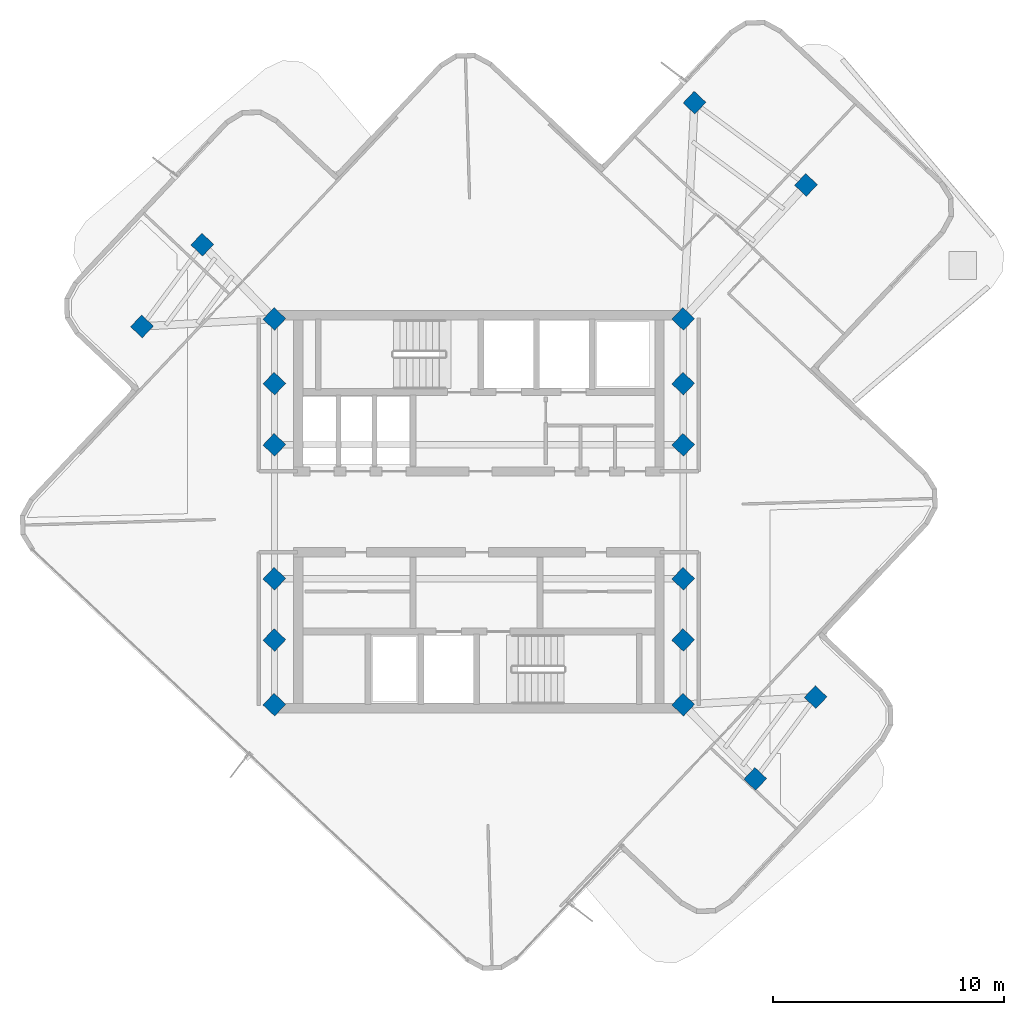
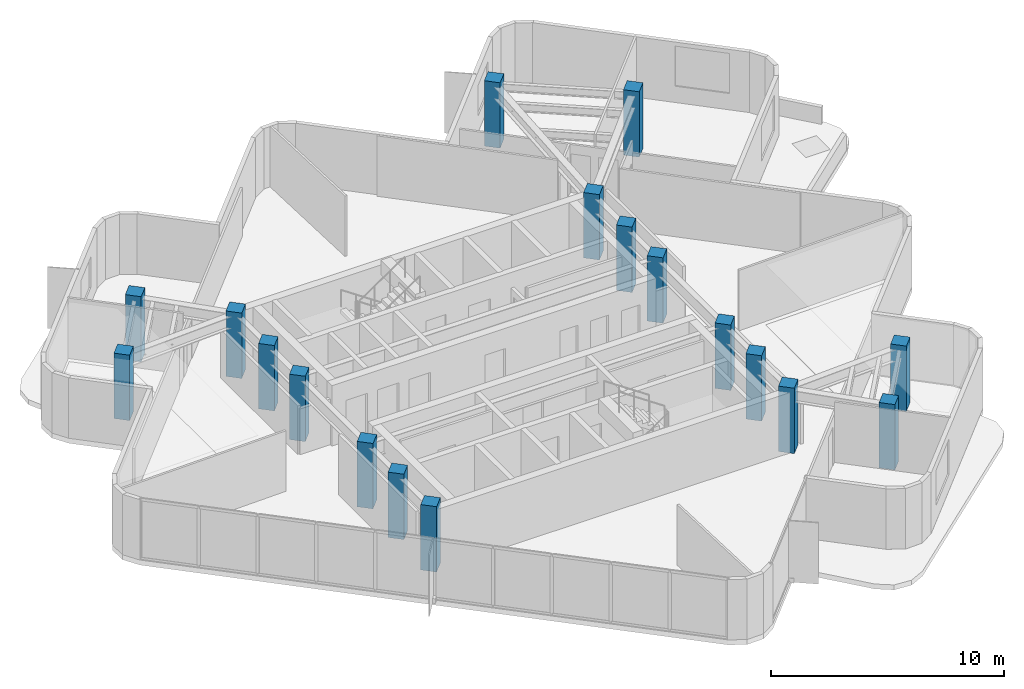
# One storey, part 1 of 10: 18 columns.
"""IFC4 building model written with IfcOpenShell, lengths in metres."""

from ifc_helpers import new_model, si_unit, direction, frame, origin, origin_2d, place, context, subcontext, project, spatial, rectangle, extrude, material, material_profile, profile_set, type_object, element, save


model = new_model("IFC4")

# Units and contexts
model_context = context("Model", 3, precision=1e-05, world=origin(), true_north=direction((0.0, 1.0)))
body_context = subcontext(model_context, "Body", "Model", "MODEL_VIEW")
ifc_project = project(units=[si_unit("LENGTHUNIT", "METRE"), si_unit("AREAUNIT", "SQUARE_METRE"), si_unit("VOLUMEUNIT", "CUBIC_METRE"), si_unit("PLANEANGLEUNIT", "RADIAN"), si_unit("MASSUNIT", "GRAM", prefix="KILO")], contexts=[model_context])

# Site, building, storey
site_placement = place(None, origin())
site = spatial("IfcSite", under=ifc_project, at=site_placement, CompositionType="ELEMENT")
building_placement = place(site_placement, origin())
building = spatial("IfcBuilding", under=site, at=building_placement, Name="Solmarez Civic Tower", CompositionType="ELEMENT")
storey_placement = place(building_placement, frame((0.0, 0.0, 244.080078125)))
storey = spatial("IfcBuildingStorey", under=building, at=storey_placement, Name="L65", CompositionType="ELEMENT", Elevation=244.080078125)

# Columns
ifc_material = material(Name="Concrete C50/60", Category="concrete")
ifc_material_profile = material_profile(ifc_material, rectangle(XDim=0.699951171875, YDim=0.699951171875, at=origin_2d()), Name="RC700X700")
ifc_profile_set = profile_set([ifc_material_profile], Name="Concrete C50/60")
column_type = type_object("IfcColumnType", Name="COL-RC700", PredefinedType="COLUMN", material=ifc_profile_set)
for number, where, z_axis, x_axis, name in (
    (1, (-8.85009765625, -5.550048828125, 0.0), (0.0, 0.0, 1.0), (0.686072351756, 0.727533317557, 0.0), "L65 Structural Column HC1"),
    (2, (-8.85009765625, -2.89990234375, 0.0), (0.0, 0.0, 1.0), (0.686072351756, 0.727533317557, 0.0), "L65 Structural Column HC2"),
    (3, (-8.85009765625, 2.89990234375, 0.0), (0.0, 0.0, 1.0), (0.686072351756, 0.727533317557, 0.0), "L65 Structural Column HC3"),
    (4, (-8.85009765625, 5.550048828125, 0.0), (0.0, 0.0, 1.0), (0.686072351756, 0.727533317557, 0.0), "L65 Structural Column HC4"),
    (5, (8.85009765625, -5.550048828125, 0.0), (0.0, 0.0, 1.0), (0.686072351756, 0.727533317557, 0.0), "L65 Structural Column HC5"),
    (6, (8.85009765625, -2.89990234375, 0.0), (0.0, 0.0, 1.0), (0.686072351756, 0.727533317557, 0.0), "L65 Structural Column HC6"),
    (7, (8.85009765625, 2.89990234375, 0.0), (0.0, 0.0, 1.0), (0.686072351756, 0.727533317557, 0.0), "L65 Structural Column HC7"),
    (8, (8.85009765625, 5.550048828125, 0.0), (0.0, 0.0, 1.0), (0.686072351756, 0.727533317557, 0.0), "L65 Structural Column HC8"),
    (9, (-8.85009765625, 8.35009765625, 0.0), (0.0, 0.0, 1.0), (0.686072351756, 0.727533317557, 0.0), "L65 Structural Column HC9"),
    (10, (8.85009765625, -8.35009765625, 0.0), (0.0, 0.0, 1.0), (0.686072351756, 0.727533317557, 0.0), "L65 Structural Column HC10"),
    (11, (8.85009765625, 8.35009765625, 0.0), (0.0, 0.0, 1.0), (0.686072351756, 0.727533317557, 0.0), "L65 Structural Column HC11"),
    (12, (-8.85009765625, -8.35009765625, 0.0), (0.0, 0.0, 1.0), (0.686072351756, 0.727533317557, 0.0), "L65 Structural Column HC12"),
    (13, (14.1689453125, 14.152099609375, 0.0), (0.0, 0.0, 1.0), (0.686072351756, 0.727533317557, 0.0), "L65 Structural Column EA11"),
    (14, (9.341064453125, 17.714111328125, 0.0), (0.0, 0.0, 1.0), (0.686072351756, 0.727533317557, 0.0), "L65 Structural Column EA12"),
    (15, (-11.970947265625, 11.56591796875, 0.0), (0.0, 0.0, 1.0), (0.686072351756, 0.727533317557, 0.0), "L65 Structural Column NA11"),
    (16, (-14.5830078125, 8.02587890625, 0.0), (0.0, 0.0, 1.0), (0.686072351756, 0.727533317557, 0.0), "L65 Structural Column NA12"),
    (17, (11.970947265625, -11.56591796875, 0.0), (0.0, 0.0, 1.0), (0.686072351756, 0.727533317557, 0.0), "L65 Structural Column SA11"),
    (18, (14.5830078125, -8.02587890625, 0.0), (0.0, 0.0, 1.0), (0.686072351756, 0.727533317557, 0.0), "L65 Structural Column SA12"),
):
    element("IfcColumn", number, at=place(storey_placement, frame(where, z_axis=z_axis, x_axis=x_axis)), inside=storey, type_object=column_type, Name=name, PredefinedType="COLUMN", context=body_context, shape_type="SweptSolid", body=[
        extrude(rectangle(XDim=0.699951171875, YDim=0.699951171875, at=origin_2d()), origin(), (0.0, 0.0, 1.0), 3.419921875),
    ])

save(model, "model.ifc")
